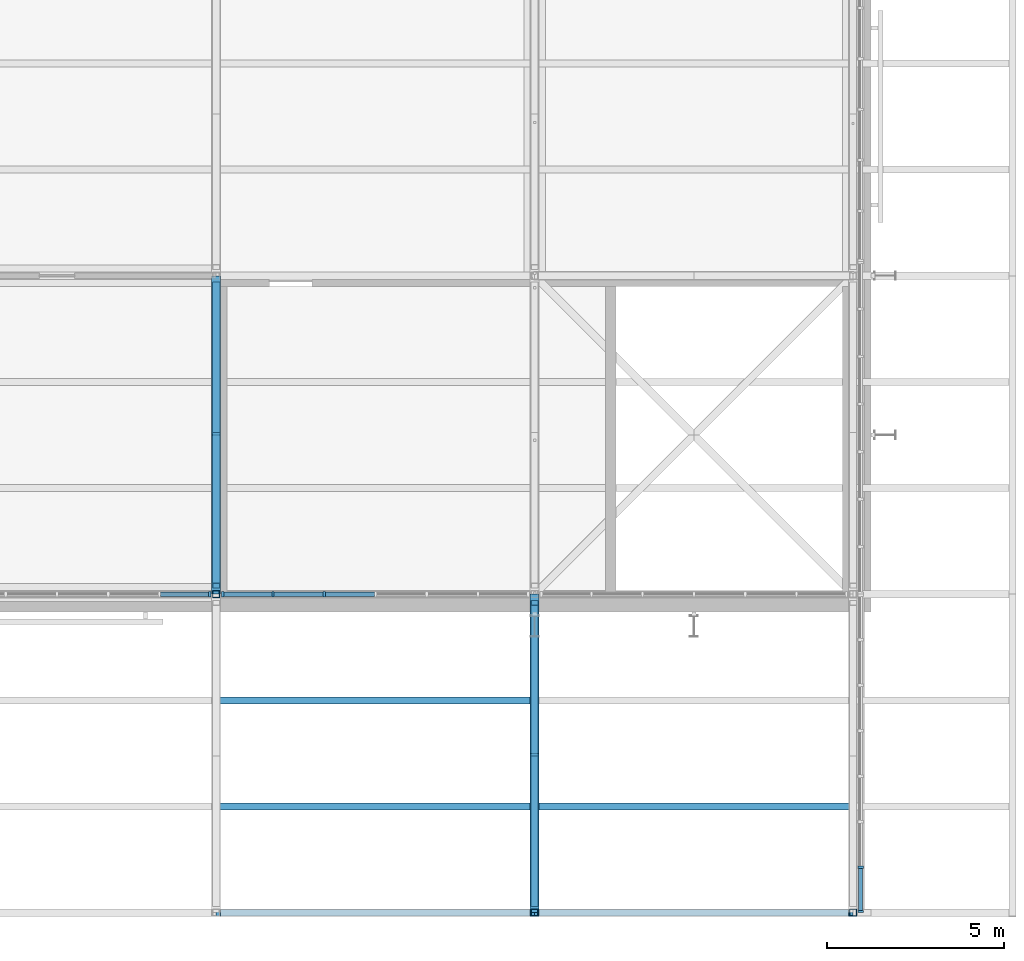
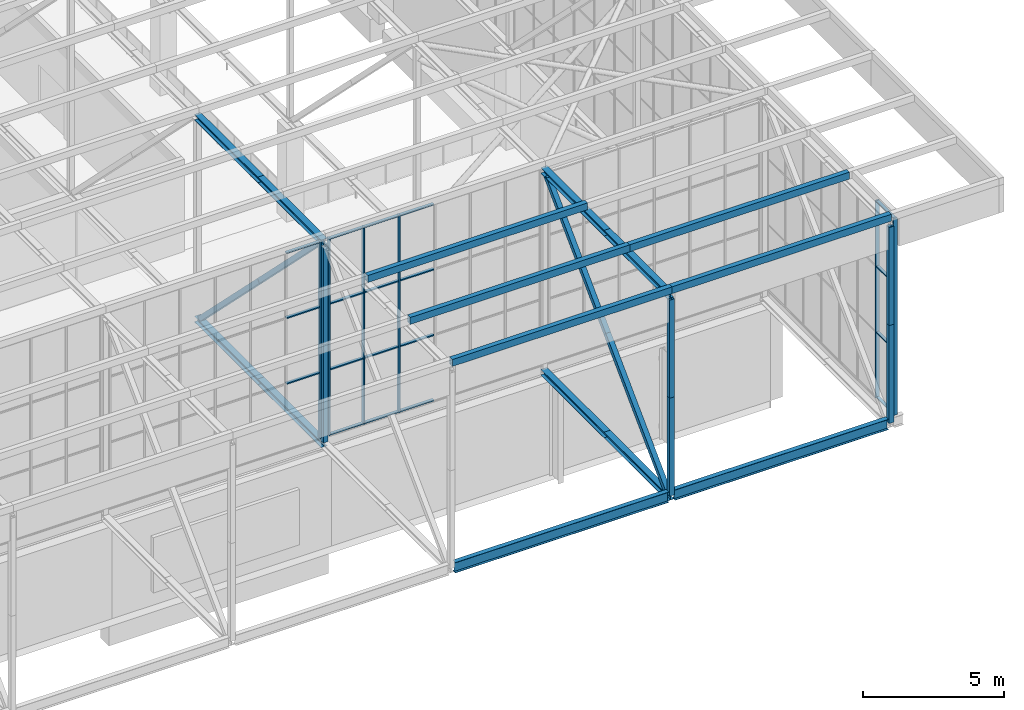
# One storey, part 83 of 646: 48 members, 2 beams, 3 elements without a shape of their own.
"""IFC4 building model written with IfcOpenShell, lengths in metres."""

from ifc_helpers import new_model, si_unit, direction, frame, origin, origin_2d, place, context, subcontext, project, spatial, rectangle, hollow_rectangle, i_section, extrude, material, material_profile, profile_set, type_object, element, aggregate, save


model = new_model("IFC4")

# Units and contexts
model_context = context("Model", 3, precision=1e-05, world=origin(), true_north=direction((0.0, 1.0)))
body_context = subcontext(model_context, "Body", "Model", "MODEL_VIEW")
ifc_project = project(units=[si_unit("LENGTHUNIT", "METRE"), si_unit("AREAUNIT", "SQUARE_METRE"), si_unit("VOLUMEUNIT", "CUBIC_METRE"), si_unit("PLANEANGLEUNIT", "RADIAN"), si_unit("MASSUNIT", "GRAM", prefix="KILO")], contexts=[model_context])

# Site, building, storey
site_placement = place(None, origin())
site = spatial("IfcSite", under=ifc_project, at=site_placement, CompositionType="ELEMENT")
building_placement = place(site_placement, origin())
building = spatial("IfcBuilding", under=site, at=building_placement, Name="Silverbay Arena", CompositionType="ELEMENT")
storey_placement = place(building_placement, frame((0.0, 0.0, 33.5)))
storey = spatial("IfcBuildingStorey", under=building, at=storey_placement, Name="L05", CompositionType="ELEMENT", Elevation=33.5)

# Members
ifc_material_1 = material(Name="Steel S355", Category="steel")
ifc_material_profile_1 = material_profile(ifc_material_1, i_section(OverallWidth=0.254638671875, OverallDepth=0.254150390625, WebThickness=0.008544921875, FlangeThickness=0.01416015625, at=origin_2d()), Name="UC 254x254x73")
ifc_profile_set_1 = profile_set([ifc_material_profile_1], Name="Steel S355")
member_type_1 = type_object("IfcMemberType", Name="Medium-span bottom chord UC 254x254x73", PredefinedType="CHORD", material=ifc_profile_set_1)
for number, where, z_axis, x_axis, name in (
    (1, (189.0, 18.0, 4.126953125), (0.0, 1.0, 0.0), (-1.0, 0.0, 0.0), "ROOF TRUSS 22 bottom chord 02a"),
    (2, (189.0, 22.5, 4.126953125), (0.0, 1.0, 0.0), (-1.0, 0.0, 0.0), "ROOF TRUSS 22 bottom chord 02b"),
):
    element("IfcMember", number, at=place(storey_placement, frame(where, z_axis=z_axis, x_axis=x_axis)), inside=storey, type_object=member_type_1, Name=name, PredefinedType="CHORD", context=body_context, shape_type="SweptSolid", body=[
        extrude(i_section(OverallWidth=0.254638671875, OverallDepth=0.254150390625, WebThickness=0.008544921875, FlangeThickness=0.01416015625, at=origin_2d()), origin(), (0.0, 0.0, 1.0), 4.5),
    ])
ifc_material_2 = material(Name="Steel S355", Category="steel")
ifc_material_profile_2 = material_profile(ifc_material_2, i_section(OverallWidth=0.254638671875, OverallDepth=0.254150390625, WebThickness=0.008544921875, FlangeThickness=0.01416015625, at=origin_2d()), Name="UC 254x254x73")
ifc_profile_set_2 = profile_set([ifc_material_profile_2], Name="Steel S355")
member_type_2 = type_object("IfcMemberType", Name="Medium-span top chord UC 254x254x73", PredefinedType="CHORD", material=ifc_profile_set_2)
for number, where, z_axis, x_axis, name in (
    (3, (189.0, 18.0, 12.873046875), (0.0, 1.0, 0.0), (-1.0, 0.0, 0.0), "ROOF TRUSS 22 top chord 02a"),
    (4, (189.0, 22.5, 12.873046875), (0.0, 1.0, 0.0), (-1.0, 0.0, 0.0), "ROOF TRUSS 22 top chord 02b"),
):
    element("IfcMember", number, at=place(storey_placement, frame(where, z_axis=z_axis, x_axis=x_axis)), inside=storey, type_object=member_type_2, Name=name, PredefinedType="CHORD", context=body_context, shape_type="SweptSolid", body=[
        extrude(i_section(OverallWidth=0.254638671875, OverallDepth=0.254150390625, WebThickness=0.008544921875, FlangeThickness=0.01416015625, at=origin_2d()), origin(), (0.0, 0.0, 1.0), 4.5),
    ])
ifc_material_3 = material(Name="Steel S355", Category="steel")
ifc_material_profile_3 = material_profile(ifc_material_3, hollow_rectangle(XDim=0.199951171875, YDim=0.199951171875, WallThickness=0.008056640625, at=origin_2d()), Name="SHS 200x200x8")
ifc_profile_set_3 = profile_set([ifc_material_profile_3], Name="Steel S355")
member_type_3 = type_object("IfcMemberType", Name="Medium-span truss diagonal SHS 200x200x8", PredefinedType="BRACE", material=ifc_profile_set_3)
for number, where, z_axis, x_axis, name in (
    (5, (189.0, 18.24560546875, 12.745849609375), (0.0, 0.70781724692, -0.706395600894), (-1.0, 0.0, 0.0), "ROOF TRUSS 22 diagonal 02a"),
    (6, (189.0, 22.5, 8.5), (0.0, 0.70781724692, -0.706395600894), (-1.0, 0.0, 0.0), "ROOF TRUSS 22 diagonal 02b"),
):
    element("IfcMember", number, at=place(storey_placement, frame(where, z_axis=z_axis, x_axis=x_axis)), inside=storey, type_object=member_type_3, Name=name, PredefinedType="BRACE", context=body_context, shape_type="SweptSolid", body=[
        extrude(hollow_rectangle(XDim=0.199951171875, YDim=0.199951171875, WallThickness=0.008056640625, at=origin_2d()), origin(), (0.0, 0.0, 1.0), 6.010498046875),
    ])
ifc_material_4 = material(Name="Steel S355", Category="steel")
ifc_material_profile_4 = material_profile(ifc_material_4, hollow_rectangle(XDim=0.199951171875, YDim=0.199951171875, WallThickness=0.008056640625, at=origin_2d()), Name="SHS 200x200x8")
ifc_profile_set_4 = profile_set([ifc_material_profile_4], Name="Steel S355")
member_type_4 = type_object("IfcMemberType", Name="Medium-span truss vertical SHS 200x200x8", PredefinedType="STRUT", material=ifc_profile_set_4)
for number, where, z_axis, x_axis, name in (
    (7, (189.0, 18.0, 4.254150390625), (0.0, 0.0, 1.0), (1.0, 0.0, 0.0), "ROOF TRUSS 22 vertical 02a"),
    (8, (189.0, 18.0, 8.5), (0.0, 0.0, 1.0), (1.0, 0.0, 0.0), "ROOF TRUSS 22 vertical 02b"),
):
    element("IfcMember", number, at=place(storey_placement, frame(where, z_axis=z_axis, x_axis=x_axis)), inside=storey, type_object=member_type_4, Name=name, PredefinedType="STRUT", context=body_context, shape_type="SweptSolid", body=[
        extrude(hollow_rectangle(XDim=0.199951171875, YDim=0.199951171875, WallThickness=0.008056640625, at=origin_2d()), origin(), (0.0, 0.0, 1.0), 4.245849609375),
    ])

# Curtain wall, member
ifc_material_5 = material(Name="Aluminium framed glazing", Category="aluminium")
curtain_wall_type_1 = type_object("IfcCurtainWallType", Name="Curtain wall clerestory 8693 x 8540", PredefinedType="NOTDEFINED", material=ifc_material_5)
curtain_wall_1_placement = place(storey_placement, origin())
curtain_wall_1 = element("IfcCurtainWall", 9, at=curtain_wall_1_placement, inside=storey, type_object=curtain_wall_type_1, Name="ROOF CLERESTORY CURTAIN WALL south bay 15", PredefinedType="NOTDEFINED")
ifc_material_6 = material(Name="Aluminium", Category="aluminium")
ifc_material_profile_5 = material_profile(ifc_material_6, rectangle(XDim=0.159912109375, YDim=0.06005859375, at=origin_2d()), Name="Mullion 60 x 160")
ifc_profile_set_5 = profile_set([ifc_material_profile_5], Name="Aluminium")
member_type_5 = type_object("IfcMemberType", Name="Mullion 60 x 160", PredefinedType="MULLION", material=ifc_profile_set_5)
member_1_placement = place(storey_placement, frame((188.81640625, 18.0, 4.4599609375), z_axis=(0.0, 0.0, 1.0), x_axis=(0.0, 1.0, 0.0)))
member_1 = element("IfcMember", 10, at=member_1_placement, type_object=member_type_5, Name="CW55 mullion 7", PredefinedType="MULLION", context=body_context, shape_type="SweptSolid", body=[
    extrude(rectangle(XDim=0.159912109375, YDim=0.06005859375, at=origin_2d()), origin(), (0.0, 0.0, 1.0), 8.5400390625),
])

# Curtain wall, members
curtain_wall_2_placement = place(storey_placement, origin())
curtain_wall_2 = element("IfcCurtainWall", 11, at=curtain_wall_2_placement, inside=storey, type_object=curtain_wall_type_1, Name="ROOF CLERESTORY CURTAIN WALL south bay 16", PredefinedType="NOTDEFINED")
member_2_placement = place(storey_placement, frame((189.18359375, 18.0, 4.4599609375), z_axis=(0.0, 0.0, 1.0), x_axis=(0.0, 1.0, 0.0)))
member_2 = element("IfcMember", 12, at=member_2_placement, type_object=member_type_5, Name="CW55 mullion 1", PredefinedType="MULLION", context=body_context, shape_type="SweptSolid", body=[
    extrude(rectangle(XDim=0.159912109375, YDim=0.06005859375, at=origin_2d()), origin(), (0.0, 0.0, 1.0), 8.5400390625),
])
member_3_placement = place(storey_placement, frame((190.6025390625, 18.0, 4.4599609375), z_axis=(0.0, 0.0, 1.0), x_axis=(0.0, 1.0, 0.0)))
member_3 = element("IfcMember", 13, at=member_3_placement, type_object=member_type_5, Name="CW55 mullion 2", PredefinedType="MULLION", context=body_context, shape_type="SweptSolid", body=[
    extrude(rectangle(XDim=0.159912109375, YDim=0.06005859375, at=origin_2d()), origin(), (0.0, 0.0, 1.0), 8.5400390625),
])
member_4_placement = place(storey_placement, frame((192.05126953125, 18.0, 4.4599609375), z_axis=(0.0, 0.0, 1.0), x_axis=(0.0, 1.0, 0.0)))
member_4 = element("IfcMember", 14, at=member_4_placement, type_object=member_type_5, Name="CW55 mullion 3", PredefinedType="MULLION", context=body_context, shape_type="SweptSolid", body=[
    extrude(rectangle(XDim=0.159912109375, YDim=0.06005859375, at=origin_2d()), origin(), (0.0, 0.0, 1.0), 8.5400390625),
])

ifc_material_7 = material(Name="Aluminium framed glazing", Category="aluminium")
curtain_wall_type_2 = type_object("IfcCurtainWallType", Name="Curtain wall clerestory 9000 x 8547", PredefinedType="NOTDEFINED", material=ifc_material_7)
curtain_wall_3_placement = place(storey_placement, origin())
curtain_wall_3 = element("IfcCurtainWall", 15, at=curtain_wall_3_placement, inside=storey, type_object=curtain_wall_type_2, Name="ROOF GABLE CLERESTORY CURTAIN WALL east bay 01", PredefinedType="NOTDEFINED")
member_5_placement = place(storey_placement, frame((207.2099609375, 9.030029296875, 4.453369140625), z_axis=(0.0, 0.0, 1.0), x_axis=(-1.0, 0.0, 0.0)))
member_5 = element("IfcMember", 16, at=member_5_placement, type_object=member_type_5, Name="CW57 mullion 1", PredefinedType="MULLION", context=body_context, shape_type="SweptSolid", body=[
    extrude(rectangle(XDim=0.159912109375, YDim=0.06005859375, at=origin_2d()), origin(), (0.0, 0.0, 1.0), 8.546630859375),
])
member_6_placement = place(storey_placement, frame((207.2099609375, 10.28564453125, 4.453369140625), z_axis=(0.0, 0.0, 1.0), x_axis=(-1.0, 0.0, 0.0)))
member_6 = element("IfcMember", 17, at=member_6_placement, type_object=member_type_5, Name="CW57 mullion 2", PredefinedType="MULLION", context=body_context, shape_type="SweptSolid", body=[
    extrude(rectangle(XDim=0.159912109375, YDim=0.06005859375, at=origin_2d()), origin(), (0.0, 0.0, 1.0), 8.546630859375),
])

# Members
ifc_material_8 = material(Name="Steel S355", Category="steel")
ifc_material_profile_6 = material_profile(ifc_material_8, hollow_rectangle(XDim=0.199951171875, YDim=0.300048828125, WallThickness=0.008056640625, at=origin_2d()), Name="RHS 300x200x8")
ifc_profile_set_6 = profile_set([ifc_material_profile_6], Name="Steel S355")
member_type_6 = type_object("IfcMemberType", Name="Purlin RHS 300x200x8", PredefinedType="PURLIN", material=ifc_profile_set_6)
for number, where, z_axis, x_axis, name in (
    (18, (189.0, 9.0, 13.14990234375), (1.0, 0.0, 0.0), (0.0, 1.0, 0.0), "ROOF PURLIN 22-23 line 01"),
    (19, (189.0, 12.0, 13.14990234375), (1.0, 0.0, 0.0), (0.0, 1.0, 0.0), "ROOF PURLIN 22-23 line 02"),
    (20, (189.0, 15.0, 13.14990234375), (1.0, 0.0, 0.0), (0.0, 1.0, 0.0), "ROOF PURLIN 22-23 line 03"),
    (21, (198.0, 9.0, 13.14990234375), (1.0, 0.0, 0.0), (0.0, 1.0, 0.0), "ROOF PURLIN 23-24 line 01"),
    (22, (198.0, 12.0, 13.14990234375), (1.0, 0.0, 0.0), (0.0, 1.0, 0.0), "ROOF PURLIN 23-24 line 02"),
):
    element("IfcMember", number, at=place(storey_placement, frame(where, z_axis=z_axis, x_axis=x_axis)), inside=storey, type_object=member_type_6, Name=name, PredefinedType="PURLIN", context=body_context, shape_type="SweptSolid", body=[
        extrude(hollow_rectangle(XDim=0.199951171875, YDim=0.300048828125, WallThickness=0.008056640625, at=origin_2d()), origin(), (0.0, 0.0, 1.0), 9.0),
    ])

# Beams
ifc_material_9 = material(Name="Steel S355", Category="steel")
ifc_material_profile_7 = material_profile(ifc_material_9, i_section(OverallWidth=0.18994140625, OverallDepth=0.453369140625, WebThickness=0.008544921875, FlangeThickness=0.0126953125, at=origin_2d()), Name="UB 457x191x67")
ifc_profile_set_7 = profile_set([ifc_material_profile_7], Name="Steel S355")
beam_type = type_object("IfcBeamType", Name="Ring beam UB 457x191x67", PredefinedType="BEAM", material=ifc_profile_set_7)
for number, where, z_axis, x_axis, name in (
    (23, (189.127197265625, 9.0, 4.226806640625), (1.0, 0.0, 0.0), (0.0, 1.0, 0.0), "RING BEAM south edge 22-23"),
    (24, (198.127197265625, 9.0, 4.226806640625), (1.0, 0.0, 0.0), (0.0, 1.0, 0.0), "RING BEAM south edge 23-24"),
):
    element("IfcBeam", number, at=place(storey_placement, frame(where, z_axis=z_axis, x_axis=x_axis)), inside=storey, type_object=beam_type, Name=name, PredefinedType="BEAM", context=body_context, shape_type="SweptSolid", body=[
        extrude(i_section(OverallWidth=0.18994140625, OverallDepth=0.453369140625, WebThickness=0.008544921875, FlangeThickness=0.0126953125, at=origin_2d()), origin(), (0.0, 0.0, 1.0), 8.74560546875),
    ])

# Members
ifc_material_10 = material(Name="Steel S355", Category="steel")
ifc_material_profile_8 = material_profile(ifc_material_10, i_section(OverallWidth=0.254638671875, OverallDepth=0.254150390625, WebThickness=0.008544921875, FlangeThickness=0.01416015625, at=origin_2d()), Name="UC 254x254x73")
ifc_profile_set_8 = profile_set([ifc_material_profile_8], Name="Steel S355")
member_type_7 = type_object("IfcMemberType", Name="Short-span bottom chord UC 254x254x73", PredefinedType="CHORD", material=ifc_profile_set_8)
for number, where, z_axis, x_axis, name in (
    (25, (198.0, 9.0, 4.126953125), (0.0, 1.0, 0.0), (-1.0, 0.0, 0.0), "ROOF TRUSS 23 bottom chord 01a"),
    (26, (198.0, 13.5, 4.126953125), (0.0, 1.0, 0.0), (-1.0, 0.0, 0.0), "ROOF TRUSS 23 bottom chord 01b"),
):
    element("IfcMember", number, at=place(storey_placement, frame(where, z_axis=z_axis, x_axis=x_axis)), inside=storey, type_object=member_type_7, Name=name, PredefinedType="CHORD", context=body_context, shape_type="SweptSolid", body=[
        extrude(i_section(OverallWidth=0.254638671875, OverallDepth=0.254150390625, WebThickness=0.008544921875, FlangeThickness=0.01416015625, at=origin_2d()), origin(), (0.0, 0.0, 1.0), 4.5),
    ])
ifc_material_11 = material(Name="Steel S355", Category="steel")
ifc_material_profile_9 = material_profile(ifc_material_11, i_section(OverallWidth=0.254638671875, OverallDepth=0.254150390625, WebThickness=0.008544921875, FlangeThickness=0.01416015625, at=origin_2d()), Name="UC 254x254x73")
ifc_profile_set_9 = profile_set([ifc_material_profile_9], Name="Steel S355")
member_type_8 = type_object("IfcMemberType", Name="Short-span top chord UC 254x254x73", PredefinedType="CHORD", material=ifc_profile_set_9)
for number, where, z_axis, x_axis, name in (
    (27, (198.0, 9.0, 12.873046875), (0.0, 1.0, 0.0), (-1.0, 0.0, 0.0), "ROOF TRUSS 23 top chord 01a"),
    (28, (198.0, 13.5, 12.873046875), (0.0, 1.0, 0.0), (-1.0, 0.0, 0.0), "ROOF TRUSS 23 top chord 01b"),
):
    element("IfcMember", number, at=place(storey_placement, frame(where, z_axis=z_axis, x_axis=x_axis)), inside=storey, type_object=member_type_8, Name=name, PredefinedType="CHORD", context=body_context, shape_type="SweptSolid", body=[
        extrude(i_section(OverallWidth=0.254638671875, OverallDepth=0.254150390625, WebThickness=0.008544921875, FlangeThickness=0.01416015625, at=origin_2d()), origin(), (0.0, 0.0, 1.0), 4.5),
    ])
ifc_material_12 = material(Name="Steel S355", Category="steel")
ifc_material_profile_10 = material_profile(ifc_material_12, hollow_rectangle(XDim=0.199951171875, YDim=0.199951171875, WallThickness=0.008056640625, at=origin_2d()), Name="SHS 200x200x8")
ifc_profile_set_10 = profile_set([ifc_material_profile_10], Name="Steel S355")
member_type_9 = type_object("IfcMemberType", Name="Short-span truss diagonal SHS 200x200x8", PredefinedType="BRACE", material=ifc_profile_set_10)
for number, where, z_axis, x_axis, name in (
    (29, (198.0, 17.75439453125, 12.745849609375), (0.0, -0.70781724692, -0.706395600894), (1.0, 0.0, 0.0), "ROOF TRUSS 23 diagonal 01a"),
    (30, (198.0, 13.5, 8.5), (0.0, -0.70781724692, -0.706395600894), (1.0, 0.0, 0.0), "ROOF TRUSS 23 diagonal 01b"),
):
    element("IfcMember", number, at=place(storey_placement, frame(where, z_axis=z_axis, x_axis=x_axis)), inside=storey, type_object=member_type_9, Name=name, PredefinedType="BRACE", context=body_context, shape_type="SweptSolid", body=[
        extrude(hollow_rectangle(XDim=0.199951171875, YDim=0.199951171875, WallThickness=0.008056640625, at=origin_2d()), origin(), (0.0, 0.0, 1.0), 6.010498046875),
    ])
ifc_material_13 = material(Name="Steel S355", Category="steel")
ifc_material_profile_11 = material_profile(ifc_material_13, hollow_rectangle(XDim=0.199951171875, YDim=0.199951171875, WallThickness=0.008056640625, at=origin_2d()), Name="SHS 200x200x8")
ifc_profile_set_11 = profile_set([ifc_material_profile_11], Name="Steel S355")
member_type_10 = type_object("IfcMemberType", Name="Short-span truss vertical SHS 200x200x8", PredefinedType="STRUT", material=ifc_profile_set_11)
for number, where, z_axis, x_axis, name in (
    (31, (198.0, 9.0, 4.254150390625), (0.0, 0.0, 1.0), (1.0, 0.0, 0.0), "ROOF TRUSS 23 vertical 01a"),
    (32, (198.0, 9.0, 8.5), (0.0, 0.0, 1.0), (1.0, 0.0, 0.0), "ROOF TRUSS 23 vertical 01b"),
    (33, (207.0, 9.0, 4.254150390625), (0.0, 0.0, 1.0), (1.0, 0.0, 0.0), "ROOF TRUSS 24 vertical 01a"),
    (34, (207.0, 9.0, 8.5), (0.0, 0.0, 1.0), (1.0, 0.0, 0.0), "ROOF TRUSS 24 vertical 01b"),
):
    element("IfcMember", number, at=place(storey_placement, frame(where, z_axis=z_axis, x_axis=x_axis)), inside=storey, type_object=member_type_10, Name=name, PredefinedType="STRUT", context=body_context, shape_type="SweptSolid", body=[
        extrude(hollow_rectangle(XDim=0.199951171875, YDim=0.199951171875, WallThickness=0.008056640625, at=origin_2d()), origin(), (0.0, 0.0, 1.0), 4.245849609375),
    ])

# Member
ifc_material_14 = material(Name="Aluminium", Category="aluminium")
ifc_material_profile_12 = material_profile(ifc_material_14, rectangle(XDim=0.1201171875, YDim=0.050048828125, at=origin_2d()), Name="Transom 50 x 120")
ifc_profile_set_12 = profile_set([ifc_material_profile_12], Name="Aluminium")
member_type_11 = type_object("IfcMemberType", Name="Transom 50 x 120", PredefinedType="USERDEFINED", material=ifc_profile_set_12)
member_7_placement = place(storey_placement, frame((187.427490234375, 18.0, 7.306640625), z_axis=(1.0, 0.0, 0.0), x_axis=(0.0, 1.0, 0.0)))
member_7 = element("IfcMember", 35, at=member_7_placement, type_object=member_type_11, Name="CW55 transom 6.2", ObjectType="TRANSOM", PredefinedType="USERDEFINED", context=body_context, shape_type="SweptSolid", body=[
    extrude(rectangle(XDim=0.1201171875, YDim=0.050048828125, at=origin_2d()), origin(), (0.0, 0.0, 1.0), 1.35888671875),
])

member_8_placement = place(storey_placement, frame((187.427490234375, 18.0, 10.1533203125), z_axis=(1.0, 0.0, 0.0), x_axis=(0.0, 1.0, 0.0)))
member_8 = element("IfcMember", 36, at=member_8_placement, type_object=member_type_11, Name="CW55 transom 6.3", ObjectType="TRANSOM", PredefinedType="USERDEFINED", context=body_context, shape_type="SweptSolid", body=[
    extrude(rectangle(XDim=0.1201171875, YDim=0.050048828125, at=origin_2d()), origin(), (0.0, 0.0, 1.0), 1.35888671875),
])

member_9_placement = place(storey_placement, frame((187.427490234375, 18.0, 12.97509765625), z_axis=(1.0, 0.0, 0.0), x_axis=(0.0, 1.0, 0.0)))
member_9 = element("IfcMember", 37, at=member_9_placement, type_object=member_type_11, Name="CW55 transom 6.4", ObjectType="TRANSOM", PredefinedType="USERDEFINED", context=body_context, shape_type="SweptSolid", body=[
    extrude(rectangle(XDim=0.1201171875, YDim=0.050048828125, at=origin_2d()), origin(), (0.0, 0.0, 1.0), 1.35888671875),
])

aggregate(curtain_wall_1, [member_1, member_7, member_8, member_9])

member_10_placement = place(storey_placement, frame((189.213623046875, 18.0, 4.485107421875), z_axis=(1.0, 0.0, 0.0), x_axis=(0.0, 1.0, 0.0)))
member_10 = element("IfcMember", 38, at=member_10_placement, type_object=member_type_11, Name="CW55 transom 1.1", ObjectType="TRANSOM", PredefinedType="USERDEFINED", context=body_context, shape_type="SweptSolid", body=[
    extrude(rectangle(XDim=0.1201171875, YDim=0.050048828125, at=origin_2d()), origin(), (0.0, 0.0, 1.0), 1.35888671875),
])

member_11_placement = place(storey_placement, frame((189.213623046875, 18.0, 7.306640625), z_axis=(1.0, 0.0, 0.0), x_axis=(0.0, 1.0, 0.0)))
member_11 = element("IfcMember", 39, at=member_11_placement, type_object=member_type_11, Name="CW55 transom 1.2", ObjectType="TRANSOM", PredefinedType="USERDEFINED", context=body_context, shape_type="SweptSolid", body=[
    extrude(rectangle(XDim=0.1201171875, YDim=0.050048828125, at=origin_2d()), origin(), (0.0, 0.0, 1.0), 1.35888671875),
])

member_12_placement = place(storey_placement, frame((189.213623046875, 18.0, 10.1533203125), z_axis=(1.0, 0.0, 0.0), x_axis=(0.0, 1.0, 0.0)))
member_12 = element("IfcMember", 40, at=member_12_placement, type_object=member_type_11, Name="CW55 transom 1.3", ObjectType="TRANSOM", PredefinedType="USERDEFINED", context=body_context, shape_type="SweptSolid", body=[
    extrude(rectangle(XDim=0.1201171875, YDim=0.050048828125, at=origin_2d()), origin(), (0.0, 0.0, 1.0), 1.35888671875),
])

member_13_placement = place(storey_placement, frame((189.213623046875, 18.0, 12.97509765625), z_axis=(1.0, 0.0, 0.0), x_axis=(0.0, 1.0, 0.0)))
member_13 = element("IfcMember", 41, at=member_13_placement, type_object=member_type_11, Name="CW55 transom 1.4", ObjectType="TRANSOM", PredefinedType="USERDEFINED", context=body_context, shape_type="SweptSolid", body=[
    extrude(rectangle(XDim=0.1201171875, YDim=0.050048828125, at=origin_2d()), origin(), (0.0, 0.0, 1.0), 1.35888671875),
])

member_14_placement = place(storey_placement, frame((190.632568359375, 18.0, 4.485107421875), z_axis=(1.0, 0.0, 0.0), x_axis=(0.0, 1.0, 0.0)))
member_14 = element("IfcMember", 42, at=member_14_placement, type_object=member_type_11, Name="CW55 transom 2.1", ObjectType="TRANSOM", PredefinedType="USERDEFINED", context=body_context, shape_type="SweptSolid", body=[
    extrude(rectangle(XDim=0.1201171875, YDim=0.050048828125, at=origin_2d()), origin(), (0.0, 0.0, 1.0), 1.388671875),
])

member_15_placement = place(storey_placement, frame((190.632568359375, 18.0, 7.306640625), z_axis=(1.0, 0.0, 0.0), x_axis=(0.0, 1.0, 0.0)))
member_15 = element("IfcMember", 43, at=member_15_placement, type_object=member_type_11, Name="CW55 transom 2.2", ObjectType="TRANSOM", PredefinedType="USERDEFINED", context=body_context, shape_type="SweptSolid", body=[
    extrude(rectangle(XDim=0.1201171875, YDim=0.050048828125, at=origin_2d()), origin(), (0.0, 0.0, 1.0), 1.388671875),
])

member_16_placement = place(storey_placement, frame((190.632568359375, 18.0, 10.1533203125), z_axis=(1.0, 0.0, 0.0), x_axis=(0.0, 1.0, 0.0)))
member_16 = element("IfcMember", 44, at=member_16_placement, type_object=member_type_11, Name="CW55 transom 2.3", ObjectType="TRANSOM", PredefinedType="USERDEFINED", context=body_context, shape_type="SweptSolid", body=[
    extrude(rectangle(XDim=0.1201171875, YDim=0.050048828125, at=origin_2d()), origin(), (0.0, 0.0, 1.0), 1.388671875),
])

member_17_placement = place(storey_placement, frame((190.632568359375, 18.0, 12.97509765625), z_axis=(1.0, 0.0, 0.0), x_axis=(0.0, 1.0, 0.0)))
member_17 = element("IfcMember", 45, at=member_17_placement, type_object=member_type_11, Name="CW55 transom 2.4", ObjectType="TRANSOM", PredefinedType="USERDEFINED", context=body_context, shape_type="SweptSolid", body=[
    extrude(rectangle(XDim=0.1201171875, YDim=0.050048828125, at=origin_2d()), origin(), (0.0, 0.0, 1.0), 1.388671875),
])

member_18_placement = place(storey_placement, frame((192.081298828125, 18.0, 4.485107421875), z_axis=(1.0, 0.0, 0.0), x_axis=(0.0, 1.0, 0.0)))
member_18 = element("IfcMember", 46, at=member_18_placement, type_object=member_type_11, Name="CW55 transom 3.1", ObjectType="TRANSOM", PredefinedType="USERDEFINED", context=body_context, shape_type="SweptSolid", body=[
    extrude(rectangle(XDim=0.1201171875, YDim=0.050048828125, at=origin_2d()), origin(), (0.0, 0.0, 1.0), 1.388671875),
])

member_19_placement = place(storey_placement, frame((192.081298828125, 18.0, 7.306640625), z_axis=(1.0, 0.0, 0.0), x_axis=(0.0, 1.0, 0.0)))
member_19 = element("IfcMember", 47, at=member_19_placement, type_object=member_type_11, Name="CW55 transom 3.2", ObjectType="TRANSOM", PredefinedType="USERDEFINED", context=body_context, shape_type="SweptSolid", body=[
    extrude(rectangle(XDim=0.1201171875, YDim=0.050048828125, at=origin_2d()), origin(), (0.0, 0.0, 1.0), 1.388671875),
])

member_20_placement = place(storey_placement, frame((192.081298828125, 18.0, 10.1533203125), z_axis=(1.0, 0.0, 0.0), x_axis=(0.0, 1.0, 0.0)))
member_20 = element("IfcMember", 48, at=member_20_placement, type_object=member_type_11, Name="CW55 transom 3.3", ObjectType="TRANSOM", PredefinedType="USERDEFINED", context=body_context, shape_type="SweptSolid", body=[
    extrude(rectangle(XDim=0.1201171875, YDim=0.050048828125, at=origin_2d()), origin(), (0.0, 0.0, 1.0), 1.388671875),
])

member_21_placement = place(storey_placement, frame((192.081298828125, 18.0, 12.97509765625), z_axis=(1.0, 0.0, 0.0), x_axis=(0.0, 1.0, 0.0)))
member_21 = element("IfcMember", 49, at=member_21_placement, type_object=member_type_11, Name="CW55 transom 3.4", ObjectType="TRANSOM", PredefinedType="USERDEFINED", context=body_context, shape_type="SweptSolid", body=[
    extrude(rectangle(XDim=0.1201171875, YDim=0.050048828125, at=origin_2d()), origin(), (0.0, 0.0, 1.0), 1.388671875),
])

aggregate(curtain_wall_2, [member_2, member_3, member_4, member_10, member_11, member_12, member_13, member_14, member_15, member_16, member_17, member_18, member_19, member_20, member_21])

member_22_placement = place(storey_placement, frame((207.2099609375, 9.06005859375, 4.478515625), z_axis=(0.0, 1.0, 0.0), x_axis=(-1.0, 0.0, 0.0)))
member_22 = element("IfcMember", 50, at=member_22_placement, type_object=member_type_11, Name="CW57 transom 1.1", ObjectType="TRANSOM", PredefinedType="USERDEFINED", context=body_context, shape_type="SweptSolid", body=[
    extrude(rectangle(XDim=0.1201171875, YDim=0.050048828125, at=origin_2d()), origin(), (0.0, 0.0, 1.0), 1.195556640625),
])

member_23_placement = place(storey_placement, frame((207.2099609375, 9.06005859375, 7.30224609375), z_axis=(0.0, 1.0, 0.0), x_axis=(-1.0, 0.0, 0.0)))
member_23 = element("IfcMember", 51, at=member_23_placement, type_object=member_type_11, Name="CW57 transom 1.2", ObjectType="TRANSOM", PredefinedType="USERDEFINED", context=body_context, shape_type="SweptSolid", body=[
    extrude(rectangle(XDim=0.1201171875, YDim=0.050048828125, at=origin_2d()), origin(), (0.0, 0.0, 1.0), 1.195556640625),
])

member_24_placement = place(storey_placement, frame((207.2099609375, 9.06005859375, 10.151123046875), z_axis=(0.0, 1.0, 0.0), x_axis=(-1.0, 0.0, 0.0)))
member_24 = element("IfcMember", 52, at=member_24_placement, type_object=member_type_11, Name="CW57 transom 1.3", ObjectType="TRANSOM", PredefinedType="USERDEFINED", context=body_context, shape_type="SweptSolid", body=[
    extrude(rectangle(XDim=0.1201171875, YDim=0.050048828125, at=origin_2d()), origin(), (0.0, 0.0, 1.0), 1.195556640625),
])

member_25_placement = place(storey_placement, frame((207.2099609375, 9.06005859375, 12.97509765625), z_axis=(0.0, 1.0, 0.0), x_axis=(-1.0, 0.0, 0.0)))
member_25 = element("IfcMember", 53, at=member_25_placement, type_object=member_type_11, Name="CW57 transom 1.4", ObjectType="TRANSOM", PredefinedType="USERDEFINED", context=body_context, shape_type="SweptSolid", body=[
    extrude(rectangle(XDim=0.1201171875, YDim=0.050048828125, at=origin_2d()), origin(), (0.0, 0.0, 1.0), 1.195556640625),
])

aggregate(curtain_wall_3, [member_5, member_6, member_22, member_23, member_24, member_25])

save(model, "model.ifc")
